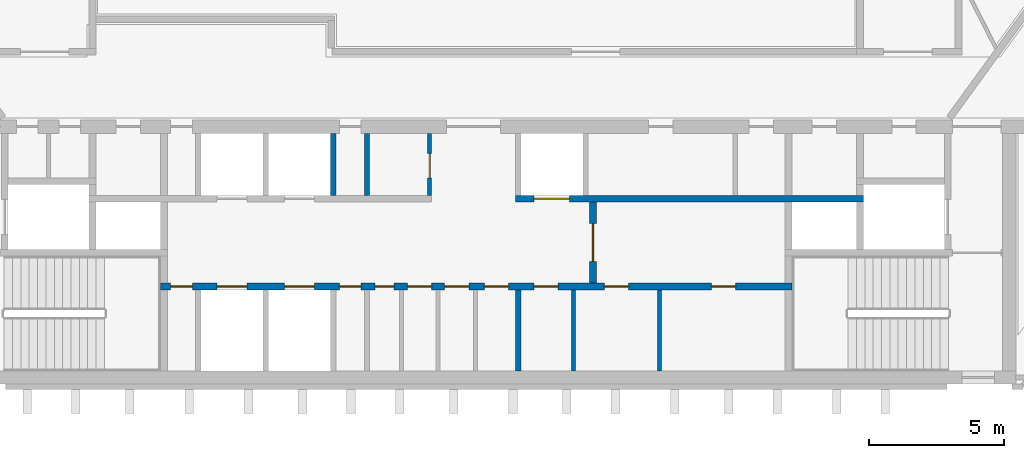
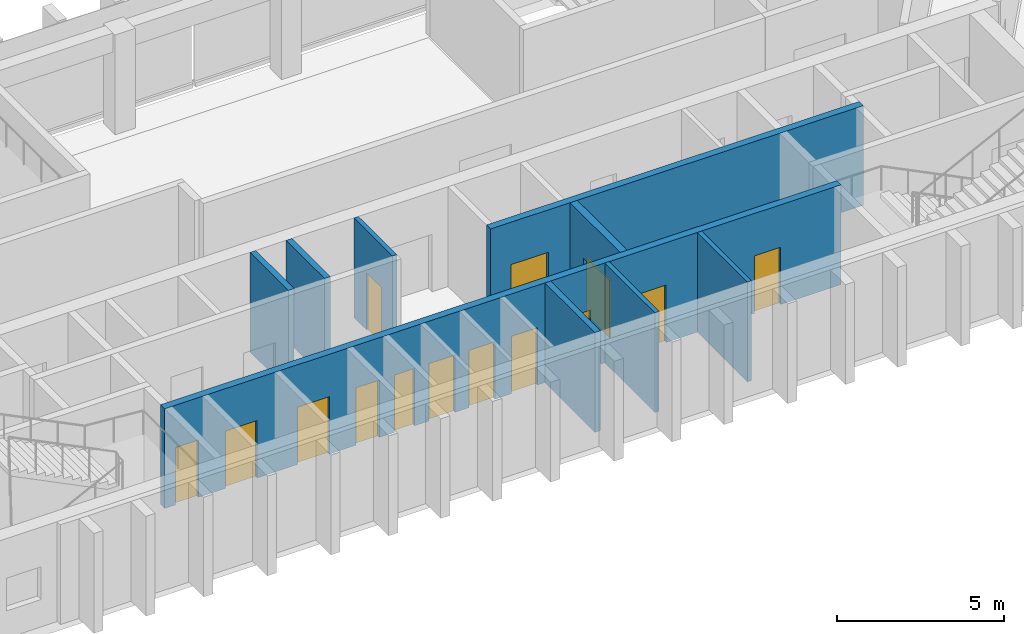
# One storey, part 4 of 8: 14 doors, 9 walls, 14 openings.
"""IFC4 building model written with IfcOpenShell, lengths in metres."""

from ifc_helpers import new_model, si_unit, direction, frame, frame_2d, origin, place, context, subcontext, project, spatial, rectangle, extrude, material, layer, layer_set, type_object, element, fill, save


model = new_model("IFC4")

# Units and contexts
model_context = context("Model", 3, precision=1e-05, world=origin(), true_north=direction((0.0, 1.0)))
body_context = subcontext(model_context, "Body", "Model", "MODEL_VIEW")
ifc_project = project(units=[si_unit("LENGTHUNIT", "METRE"), si_unit("AREAUNIT", "SQUARE_METRE"), si_unit("VOLUMEUNIT", "CUBIC_METRE"), si_unit("PLANEANGLEUNIT", "RADIAN"), si_unit("MASSUNIT", "GRAM", prefix="KILO")], contexts=[model_context])

# Site, building, storey
site_placement = place(None, origin())
site = spatial("IfcSite", under=ifc_project, at=site_placement, CompositionType="ELEMENT")
building_placement = place(site_placement, origin())
building = spatial("IfcBuilding", under=site, at=building_placement, Name="Quipu Civic Tower", CompositionType="ELEMENT")
storey_placement = place(building_placement, frame((0.0, 0.0, 281.0)))
storey = spatial("IfcBuildingStorey", under=building, at=storey_placement, Name="L65", CompositionType="ELEMENT", Elevation=281.0)

# Wall, openings, doors
ifc_material_1 = material(Name="Concrete C70/85", Category="concrete")
ifc_layer_1 = layer(ifc_material_1, 0.25)
ifc_layer_set_1 = layer_set([ifc_layer_1], Name="Concrete C70/85")
wall_type_1 = type_object("IfcWallType", Name="Core wall 250", PredefinedType="SHEAR", material=ifc_layer_set_1)
wall_1_placement = place(storey_placement, frame((11.699951171875, -7.375, 0.0), z_axis=(0.0, 0.0, 1.0), x_axis=(-1.0, 0.0, 0.0)))
wall_1 = element("IfcWall", 1, at=wall_1_placement, inside=storey, type_object=wall_type_1, Name="Core wall", PredefinedType="SHEAR", context=body_context, shape_type="SweptSolid", body=[
    extrude(rectangle(XDim=23.39990234375, YDim=0.25, at=frame_2d((11.699951171875, 0.0))), origin(), (0.0, 0.0, 1.0), 3.64990234375),
])
opening_1_placement = place(wall_1_placement, frame((22.22509765625, 0.0, 0.0)))
opening_1 = element("IfcOpeningElement", 2, at=opening_1_placement, cuts=wall_1, Name="Opening CD-01", PredefinedType="OPENING", context=body_context, shape_type="SweptSolid", body=[
    extrude(rectangle(XDim=0.800048828125, YDim=2.10009765625, at=frame_2d((0.39990234375, 1.050048828125))), frame((0.0, 0.135009765625, 0.0), z_axis=(0.0, -1.0, 0.0), x_axis=(1.0, 0.0, 0.0)), (0.0, 0.0, 1.0), 0.27001953125),
])
opening_2_placement = place(wall_1_placement, frame((20.199951171875, 0.0, 0.0)))
opening_2 = element("IfcOpeningElement", 3, at=opening_2_placement, cuts=wall_1, Name="Opening LD-HL1", PredefinedType="OPENING", context=body_context, shape_type="SweptSolid", body=[
    extrude(rectangle(XDim=1.10009765625, YDim=2.10009765625, at=frame_2d((0.550048828125, 1.050048828125))), frame((0.0, 0.135009765625, 0.0), z_axis=(0.0, -1.0, 0.0), x_axis=(1.0, 0.0, 0.0)), (0.0, 0.0, 1.0), 0.27001953125),
])
opening_3_placement = place(wall_1_placement, frame((17.699951171875, 0.0, 0.0)))
opening_3 = element("IfcOpeningElement", 4, at=opening_3_placement, cuts=wall_1, Name="Opening LD-HL2", PredefinedType="OPENING", context=body_context, shape_type="SweptSolid", body=[
    extrude(rectangle(XDim=1.10009765625, YDim=2.10009765625, at=frame_2d((0.550048828125, 1.050048828125))), frame((0.0, 0.135009765625, 0.0), z_axis=(0.0, -1.0, 0.0), x_axis=(1.0, 0.0, 0.0)), (0.0, 0.0, 1.0), 0.27001953125),
])
opening_4_placement = place(wall_1_placement, frame((15.97509765625, 0.0, 0.0)))
opening_4 = element("IfcOpeningElement", 5, at=opening_4_placement, cuts=wall_1, Name="Opening CD-02", PredefinedType="OPENING", context=body_context, shape_type="SweptSolid", body=[
    extrude(rectangle(XDim=0.800048828125, YDim=2.10009765625, at=frame_2d((0.39990234375, 1.050048828125))), frame((0.0, 0.135009765625, 0.0), z_axis=(0.0, -1.0, 0.0), x_axis=(1.0, 0.0, 0.0)), (0.0, 0.0, 1.0), 0.27001953125),
])
opening_5_placement = place(wall_1_placement, frame((14.75, 0.0, 0.0)))
opening_5 = element("IfcOpeningElement", 6, at=opening_5_placement, cuts=wall_1, Name="Opening CD-03", PredefinedType="OPENING", context=body_context, shape_type="SweptSolid", body=[
    extrude(rectangle(XDim=0.699951171875, YDim=2.10009765625, at=frame_2d((0.35009765625, 1.050048828125))), frame((0.0, 0.135009765625, 0.0), z_axis=(0.0, -1.0, 0.0), x_axis=(1.0, 0.0, 0.0)), (0.0, 0.0, 1.0), 0.27001953125),
])
opening_6_placement = place(wall_1_placement, frame((13.35009765625, 0.0, 0.0)))
opening_6 = element("IfcOpeningElement", 7, at=opening_6_placement, cuts=wall_1, Name="Opening CD-04", PredefinedType="OPENING", context=body_context, shape_type="SweptSolid", body=[
    extrude(rectangle(XDim=0.89990234375, YDim=2.10009765625, at=frame_2d((0.449951171875, 1.050048828125))), frame((0.0, 0.135009765625, 0.0), z_axis=(0.0, -1.0, 0.0), x_axis=(1.0, 0.0, 0.0)), (0.0, 0.0, 1.0), 0.27001953125),
])
opening_7_placement = place(wall_1_placement, frame((11.97509765625, 0.0, 0.0)))
opening_7 = element("IfcOpeningElement", 8, at=opening_7_placement, cuts=wall_1, Name="Opening CD-05", PredefinedType="OPENING", context=body_context, shape_type="SweptSolid", body=[
    extrude(rectangle(XDim=0.89990234375, YDim=2.10009765625, at=frame_2d((0.449951171875, 1.050048828125))), frame((0.0, 0.135009765625, 0.0), z_axis=(0.0, -1.0, 0.0), x_axis=(1.0, 0.0, 0.0)), (0.0, 0.0, 1.0), 0.27001953125),
])
opening_8_placement = place(wall_1_placement, frame((10.5, 0.0, 0.0)))
opening_8 = element("IfcOpeningElement", 9, at=opening_8_placement, cuts=wall_1, Name="Opening CD-06", PredefinedType="OPENING", context=body_context, shape_type="SweptSolid", body=[
    extrude(rectangle(XDim=0.89990234375, YDim=2.10009765625, at=frame_2d((0.449951171875, 1.050048828125))), frame((0.0, 0.135009765625, 0.0), z_axis=(0.0, -1.0, 0.0), x_axis=(1.0, 0.0, 0.0)), (0.0, 0.0, 1.0), 0.27001953125),
])
opening_9_placement = place(wall_1_placement, frame((8.6630859375, 0.0, 0.0)))
opening_9 = element("IfcOpeningElement", 10, at=opening_9_placement, cuts=wall_1, Name="Opening CD-07", PredefinedType="OPENING", context=body_context, shape_type="SweptSolid", body=[
    extrude(rectangle(XDim=0.89990234375, YDim=2.10009765625, at=frame_2d((0.449951171875, 1.050048828125))), frame((0.0, 0.135009765625, 0.0), z_axis=(0.0, -1.0, 0.0), x_axis=(1.0, 0.0, 0.0)), (0.0, 0.0, 1.0), 0.27001953125),
])
opening_10_placement = place(wall_1_placement, frame((6.050048828125, 0.0, 0.0)))
opening_10 = element("IfcOpeningElement", 11, at=opening_10_placement, cuts=wall_1, Name="Opening CD-08", PredefinedType="OPENING", context=body_context, shape_type="SweptSolid", body=[
    extrude(rectangle(XDim=0.89990234375, YDim=2.10009765625, at=frame_2d((0.449951171875, 1.050048828125))), frame((0.0, 0.135009765625, 0.0), z_axis=(0.0, -1.0, 0.0), x_axis=(1.0, 0.0, 0.0)), (0.0, 0.0, 1.0), 0.27001953125),
])
opening_11_placement = place(wall_1_placement, frame((2.087890625, 0.0, 0.0)))
opening_11 = element("IfcOpeningElement", 12, at=opening_11_placement, cuts=wall_1, Name="Opening CD-09", PredefinedType="OPENING", context=body_context, shape_type="SweptSolid", body=[
    extrude(rectangle(XDim=0.89990234375, YDim=2.10009765625, at=frame_2d((0.449951171875, 1.050048828125))), frame((0.0, 0.135009765625, 0.0), z_axis=(0.0, -1.0, 0.0), x_axis=(1.0, 0.0, 0.0)), (0.0, 0.0, 1.0), 0.27001953125),
])
ifc_material_2 = material(Name="Fire rated steel door", Category="steel")
door_type_1 = type_object("IfcDoorType", Name="Fire door FD60 700 x 2100", OperationType="NOTDEFINED", PredefinedType="DOOR", material=ifc_material_2)
door_1_placement = place(opening_5_placement, origin())
door_1 = element("IfcDoor", 13, at=door_1_placement, inside=storey, type_object=door_type_1, Name="Door", OperationType="SINGLE_SWING_RIGHT", OverallHeight=2.10009765625, OverallWidth=0.699951171875, PredefinedType="DOOR", context=body_context, shape_type="SweptSolid", body=[
    extrude(rectangle(XDim=0.699951171875, YDim=2.10009765625, at=frame_2d((0.35009765625, 1.050048828125))), frame((0.0, 0.02490234375, 0.0), z_axis=(0.0, -1.0, 0.0), x_axis=(1.0, 0.0, 0.0)), (0.0, 0.0, 1.0), 0.050048828125),
])
fill(opening_5, door_1)
ifc_material_3 = material(Name="Fire rated steel door", Category="steel")
door_type_2 = type_object("IfcDoorType", Name="Fire door FD60 800 x 2100", OperationType="NOTDEFINED", PredefinedType="DOOR", material=ifc_material_3)
door_2_placement = place(opening_1_placement, origin())
door_2 = element("IfcDoor", 14, at=door_2_placement, inside=storey, type_object=door_type_2, Name="Door", OperationType="SINGLE_SWING_RIGHT", OverallHeight=2.10009765625, OverallWidth=0.800048828125, PredefinedType="DOOR", context=body_context, shape_type="SweptSolid", body=[
    extrude(rectangle(XDim=0.800048828125, YDim=2.10009765625, at=frame_2d((0.39990234375, 1.050048828125))), frame((0.0, 0.02490234375, 0.0), z_axis=(0.0, -1.0, 0.0), x_axis=(1.0, 0.0, 0.0)), (0.0, 0.0, 1.0), 0.050048828125),
])
fill(opening_1, door_2)
door_3_placement = place(opening_4_placement, origin())
door_3 = element("IfcDoor", 15, at=door_3_placement, inside=storey, type_object=door_type_2, Name="Door", OperationType="SINGLE_SWING_RIGHT", OverallHeight=2.10009765625, OverallWidth=0.800048828125, PredefinedType="DOOR", context=body_context, shape_type="SweptSolid", body=[
    extrude(rectangle(XDim=0.800048828125, YDim=2.10009765625, at=frame_2d((0.39990234375, 1.050048828125))), frame((0.0, 0.02490234375, 0.0), z_axis=(0.0, -1.0, 0.0), x_axis=(1.0, 0.0, 0.0)), (0.0, 0.0, 1.0), 0.050048828125),
])
fill(opening_4, door_3)
ifc_material_4 = material(Name="Fire rated steel door", Category="steel")
door_type_3 = type_object("IfcDoorType", Name="Fire door FD60 900 x 2100", OperationType="NOTDEFINED", PredefinedType="DOOR", material=ifc_material_4)
door_4_placement = place(opening_6_placement, origin())
door_4 = element("IfcDoor", 16, at=door_4_placement, inside=storey, type_object=door_type_3, Name="WC door", OperationType="SINGLE_SWING_RIGHT", OverallHeight=2.10009765625, OverallWidth=0.89990234375, PredefinedType="DOOR", context=body_context, shape_type="SweptSolid", body=[
    extrude(rectangle(XDim=0.89990234375, YDim=2.10009765625, at=frame_2d((0.449951171875, 1.050048828125))), frame((0.0, 0.02490234375, 0.0), z_axis=(0.0, -1.0, 0.0), x_axis=(1.0, 0.0, 0.0)), (0.0, 0.0, 1.0), 0.050048828125),
])
fill(opening_6, door_4)
door_5_placement = place(opening_7_placement, origin())
door_5 = element("IfcDoor", 17, at=door_5_placement, inside=storey, type_object=door_type_3, Name="WC door", OperationType="SINGLE_SWING_RIGHT", OverallHeight=2.10009765625, OverallWidth=0.89990234375, PredefinedType="DOOR", context=body_context, shape_type="SweptSolid", body=[
    extrude(rectangle(XDim=0.89990234375, YDim=2.10009765625, at=frame_2d((0.449951171875, 1.050048828125))), frame((0.0, 0.02490234375, 0.0), z_axis=(0.0, -1.0, 0.0), x_axis=(1.0, 0.0, 0.0)), (0.0, 0.0, 1.0), 0.050048828125),
])
fill(opening_7, door_5)
door_6_placement = place(opening_8_placement, origin())
door_6 = element("IfcDoor", 18, at=door_6_placement, inside=storey, type_object=door_type_3, Name="WC door", OperationType="SINGLE_SWING_LEFT", OverallHeight=2.10009765625, OverallWidth=0.89990234375, PredefinedType="DOOR", context=body_context, shape_type="SweptSolid", body=[
    extrude(rectangle(XDim=0.89990234375, YDim=2.10009765625, at=frame_2d((0.449951171875, 1.050048828125))), frame((0.0, 0.02490234375, 0.0), z_axis=(0.0, -1.0, 0.0), x_axis=(1.0, 0.0, 0.0)), (0.0, 0.0, 1.0), 0.050048828125),
])
fill(opening_8, door_6)
door_7_placement = place(opening_9_placement, origin())
door_7 = element("IfcDoor", 19, at=door_7_placement, inside=storey, type_object=door_type_3, Name="Door", OperationType="SINGLE_SWING_LEFT", OverallHeight=2.10009765625, OverallWidth=0.89990234375, PredefinedType="DOOR", context=body_context, shape_type="SweptSolid", body=[
    extrude(rectangle(XDim=0.89990234375, YDim=2.10009765625, at=frame_2d((0.449951171875, 1.050048828125))), frame((0.0, 0.02490234375, 0.0), z_axis=(0.0, -1.0, 0.0), x_axis=(1.0, 0.0, 0.0)), (0.0, 0.0, 1.0), 0.050048828125),
])
fill(opening_9, door_7)
door_8_placement = place(opening_10_placement, origin())
door_8 = element("IfcDoor", 20, at=door_8_placement, inside=storey, type_object=door_type_3, Name="Door", OperationType="SINGLE_SWING_LEFT", OverallHeight=2.10009765625, OverallWidth=0.89990234375, PredefinedType="DOOR", context=body_context, shape_type="SweptSolid", body=[
    extrude(rectangle(XDim=0.89990234375, YDim=2.10009765625, at=frame_2d((0.449951171875, 1.050048828125))), frame((0.0, 0.02490234375, 0.0), z_axis=(0.0, -1.0, 0.0), x_axis=(1.0, 0.0, 0.0)), (0.0, 0.0, 1.0), 0.050048828125),
])
fill(opening_10, door_8)
door_9_placement = place(opening_11_placement, origin())
door_9 = element("IfcDoor", 21, at=door_9_placement, inside=storey, type_object=door_type_3, Name="Door", OperationType="SINGLE_SWING_LEFT", OverallHeight=2.10009765625, OverallWidth=0.89990234375, PredefinedType="DOOR", context=body_context, shape_type="SweptSolid", body=[
    extrude(rectangle(XDim=0.89990234375, YDim=2.10009765625, at=frame_2d((0.449951171875, 1.050048828125))), frame((0.0, 0.02490234375, 0.0), z_axis=(0.0, -1.0, 0.0), x_axis=(1.0, 0.0, 0.0)), (0.0, 0.0, 1.0), 0.050048828125),
])
fill(opening_11, door_9)
ifc_material_5 = material(Name="Stainless steel", Category="steel")
door_type_4 = type_object("IfcDoorType", Name="Lift landing door 1100 x 2100", OperationType="DOUBLE_DOOR_SLIDING", PredefinedType="DOOR", material=ifc_material_5)
door_10_placement = place(opening_2_placement, origin())
door_10 = element("IfcDoor", 22, at=door_10_placement, inside=storey, type_object=door_type_4, Name="Landing door HL1", OperationType="DOUBLE_DOOR_SLIDING", OverallHeight=2.10009765625, OverallWidth=1.10009765625, PredefinedType="DOOR", context=body_context, shape_type="SweptSolid", body=[
    extrude(rectangle(XDim=1.10009765625, YDim=2.10009765625, at=frame_2d((0.550048828125, 1.050048828125))), frame((0.0, 0.02490234375, 0.0), z_axis=(0.0, -1.0, 0.0), x_axis=(1.0, 0.0, 0.0)), (0.0, 0.0, 1.0), 0.050048828125),
])
fill(opening_2, door_10)
door_11_placement = place(opening_3_placement, origin())
door_11 = element("IfcDoor", 23, at=door_11_placement, inside=storey, type_object=door_type_4, Name="Landing door HL2", OperationType="DOUBLE_DOOR_SLIDING", OverallHeight=2.10009765625, OverallWidth=1.10009765625, PredefinedType="DOOR", context=body_context, shape_type="SweptSolid", body=[
    extrude(rectangle(XDim=1.10009765625, YDim=2.10009765625, at=frame_2d((0.550048828125, 1.050048828125))), frame((0.0, 0.02490234375, 0.0), z_axis=(0.0, -1.0, 0.0), x_axis=(1.0, 0.0, 0.0)), (0.0, 0.0, 1.0), 0.050048828125),
])
fill(opening_3, door_11)

# Wall, opening, door
wall_2_placement = place(storey_placement, frame((4.324951171875, -7.25, 0.0), z_axis=(0.0, 0.0, 1.0), x_axis=(0.0, 1.0, 0.0)))
wall_2 = element("IfcWall", 24, at=wall_2_placement, inside=storey, type_object=wall_type_1, Name="Core wall", PredefinedType="SHEAR", context=body_context, shape_type="SweptSolid", body=[
    extrude(rectangle(XDim=3.0, YDim=0.25, at=frame_2d((1.5, 0.0))), origin(), (0.0, 0.0, 1.0), 3.64990234375),
])
opening_12_placement = place(wall_2_placement, frame((0.800048828125, 0.0, 0.0)))
opening_12 = element("IfcOpeningElement", 25, at=opening_12_placement, cuts=wall_2, Name="Opening CD-12", PredefinedType="OPENING", context=body_context, shape_type="SweptSolid", body=[
    extrude(rectangle(XDim=1.39990234375, YDim=2.10009765625, at=frame_2d((0.699951171875, 1.050048828125))), frame((0.0, 0.135009765625, 0.0), z_axis=(0.0, -1.0, 0.0), x_axis=(1.0, 0.0, 0.0)), (0.0, 0.0, 1.0), 0.27001953125),
])
ifc_material_6 = material(Name="Fire rated steel door", Category="steel")
door_type_5 = type_object("IfcDoorType", Name="Fire door FD60 double 1400 x 2100", OperationType="NOTDEFINED", PredefinedType="DOOR", material=ifc_material_6)
door_12_placement = place(opening_12_placement, origin())
door_12 = element("IfcDoor", 26, at=door_12_placement, inside=storey, type_object=door_type_5, Name="Hall door", OperationType="DOUBLE_DOOR_SINGLE_SWING", OverallHeight=2.10009765625, OverallWidth=1.39990234375, PredefinedType="DOOR", context=body_context, shape_type="SweptSolid", body=[
    extrude(rectangle(XDim=1.39990234375, YDim=2.10009765625, at=frame_2d((0.699951171875, 1.050048828125))), frame((0.0, 0.02490234375, 0.0), z_axis=(0.0, -1.0, 0.0), x_axis=(1.0, 0.0, 0.0)), (0.0, 0.0, 1.0), 0.050048828125),
])
fill(opening_12, door_12)

wall_3_placement = place(storey_placement, frame((1.449951171875, -4.125, 0.0), z_axis=(0.0, 0.0, 1.0), x_axis=(1.0, 0.0, 0.0)))
wall_3 = element("IfcWall", 27, at=wall_3_placement, inside=storey, type_object=wall_type_1, Name="Core wall", PredefinedType="SHEAR", context=body_context, shape_type="SweptSolid", body=[
    extrude(rectangle(XDim=12.900146484375, YDim=0.25, at=frame_2d((6.4501953125, 0.0))), origin(), (0.0, 0.0, 1.0), 3.64990234375),
])
opening_13_placement = place(wall_3_placement, frame((0.699951171875, 0.0, 0.0)))
opening_13 = element("IfcOpeningElement", 28, at=opening_13_placement, cuts=wall_3, Name="Opening LD-FF3", PredefinedType="OPENING", context=body_context, shape_type="SweptSolid", body=[
    extrude(rectangle(XDim=1.300048828125, YDim=2.10009765625, at=frame_2d((0.64990234375, 1.050048828125))), frame((0.0, 0.135009765625, 0.0), z_axis=(0.0, -1.0, 0.0), x_axis=(1.0, 0.0, 0.0)), (0.0, 0.0, 1.0), 0.27001953125),
])
ifc_material_7 = material(Name="Stainless steel", Category="steel")
door_type_6 = type_object("IfcDoorType", Name="Lift landing door 1300 x 2100", OperationType="DOUBLE_DOOR_SLIDING", PredefinedType="DOOR", material=ifc_material_7)
door_13_placement = place(opening_13_placement, origin())
door_13 = element("IfcDoor", 29, at=door_13_placement, inside=storey, type_object=door_type_6, Name="Landing door FF3", OperationType="DOUBLE_DOOR_SLIDING", OverallHeight=2.10009765625, OverallWidth=1.300048828125, PredefinedType="DOOR", context=body_context, shape_type="SweptSolid", body=[
    extrude(rectangle(XDim=1.300048828125, YDim=2.10009765625, at=frame_2d((0.64990234375, 1.050048828125))), frame((0.0, 0.02490234375, 0.0), z_axis=(0.0, -1.0, 0.0), x_axis=(1.0, 0.0, 0.0)), (0.0, 0.0, 1.0), 0.050048828125),
])
fill(opening_13, door_13)

# Walls
ifc_material_8 = material(Name="Gypsum board partition")
ifc_layer_2 = layer(ifc_material_8, 0.14990234375)
ifc_layer_set_2 = layer_set([ifc_layer_2], Name="Gypsum board partition")
wall_type_2 = type_object("IfcWallType", Name="Partition 150", PredefinedType="PARTITIONING", material=ifc_layer_set_2)
for number, where, z_axis, x_axis, name in (
    (30, (3.60009765625, -10.5, 0.0), (0.0, 0.0, 1.0), (0.0, 1.0, 0.0), "Partition"),
    (31, (6.800048828125, -10.5, 0.0), (0.0, 0.0, 1.0), (0.0, 1.0, 0.0), "Partition"),
):
    element("IfcWall", number, at=place(storey_placement, frame(where, z_axis=z_axis, x_axis=x_axis)), inside=storey, type_object=wall_type_2, Name=name, PredefinedType="PARTITIONING", context=body_context, shape_type="SweptSolid", body=[
        extrude(rectangle(XDim=3.0, YDim=0.14990234375, at=frame_2d((1.5, 0.0))), origin(), (0.0, 0.0, 1.0), 3.64990234375),
    ])

# Wall, opening, door
wall_4_placement = place(storey_placement, frame((-1.72509765625, -1.699951171875, 0.0), z_axis=(0.0, 0.0, 1.0), x_axis=(0.0, -1.0, 0.0)))
wall_4 = element("IfcWall", 32, at=wall_4_placement, inside=storey, type_object=wall_type_2, Name="Partition", PredefinedType="PARTITIONING", context=body_context, shape_type="SweptSolid", body=[
    extrude(rectangle(XDim=2.300048828125, YDim=0.14990234375, at=frame_2d((1.14990234375, 0.0))), origin(), (0.0, 0.0, 1.0), 3.64990234375),
])
opening_14_placement = place(wall_4_placement, frame((0.75, 0.0, 0.0)))
opening_14 = element("IfcOpeningElement", 33, at=opening_14_placement, cuts=wall_4, Name="Opening CD-13", PredefinedType="OPENING", context=body_context, shape_type="SweptSolid", body=[
    extrude(rectangle(XDim=0.89990234375, YDim=2.10009765625, at=frame_2d((0.449951171875, 1.050048828125))), frame((0.0, 0.0849609375, 0.0), z_axis=(0.0, -1.0, 0.0), x_axis=(1.0, 0.0, 0.0)), (0.0, 0.0, 1.0), 0.169921875),
])
door_14_placement = place(opening_14_placement, origin())
door_14 = element("IfcDoor", 34, at=door_14_placement, inside=storey, type_object=door_type_3, Name="WC door", OperationType="SINGLE_SWING_RIGHT", OverallHeight=2.10009765625, OverallWidth=0.89990234375, PredefinedType="DOOR", context=body_context, shape_type="SweptSolid", body=[
    extrude(rectangle(XDim=0.89990234375, YDim=2.10009765625, at=frame_2d((0.449951171875, 1.050048828125))), frame((0.0, 0.02490234375, 0.0), z_axis=(0.0, -1.0, 0.0), x_axis=(1.0, 0.0, 0.0)), (0.0, 0.0, 1.0), 0.050048828125),
])
fill(opening_14, door_14)

# Walls
ifc_material_9 = material(Name="Concrete C40/50", Category="concrete")
ifc_layer_3 = layer(ifc_material_9, 0.199951171875)
ifc_layer_set_3 = layer_set([ifc_layer_3], Name="Concrete C40/50")
wall_type_3 = type_object("IfcWallType", Name="Shaft wall 200", PredefinedType="SOLIDWALL", material=ifc_layer_set_3)
wall_5_placement = place(storey_placement, frame((1.550048828125, -10.5, 0.0), z_axis=(0.0, 0.0, 1.0), x_axis=(0.0, 1.0, 0.0)))
element("IfcWall", 35, at=wall_5_placement, inside=storey, type_object=wall_type_3, Name="Shaft wall", PredefinedType="SOLIDWALL", context=body_context, shape_type="SweptSolid", body=[
    extrude(rectangle(XDim=3.0, YDim=0.199951171875, at=frame_2d((1.5, 0.0))), origin(), (0.0, 0.0, 1.0), 3.64990234375),
])
for number, where, z_axis, x_axis, name in (
    (36, (-5.300048828125, -4.0, 0.0), (0.0, 0.0, 1.0), (0.0, 1.0, 0.0), "Shaft wall"),
    (37, (-4.050048828125, -4.0, 0.0), (0.0, 0.0, 1.0), (0.0, 1.0, 0.0), "Shaft wall"),
):
    element("IfcWall", number, at=place(storey_placement, frame(where, z_axis=z_axis, x_axis=x_axis)), inside=storey, type_object=wall_type_3, Name=name, PredefinedType="SOLIDWALL", context=body_context, shape_type="SweptSolid", body=[
        extrude(rectangle(XDim=2.300048828125, YDim=0.199951171875, at=frame_2d((1.14990234375, 0.0))), origin(), (0.0, 0.0, 1.0), 3.64990234375),
    ])

save(model, "model.ifc")
